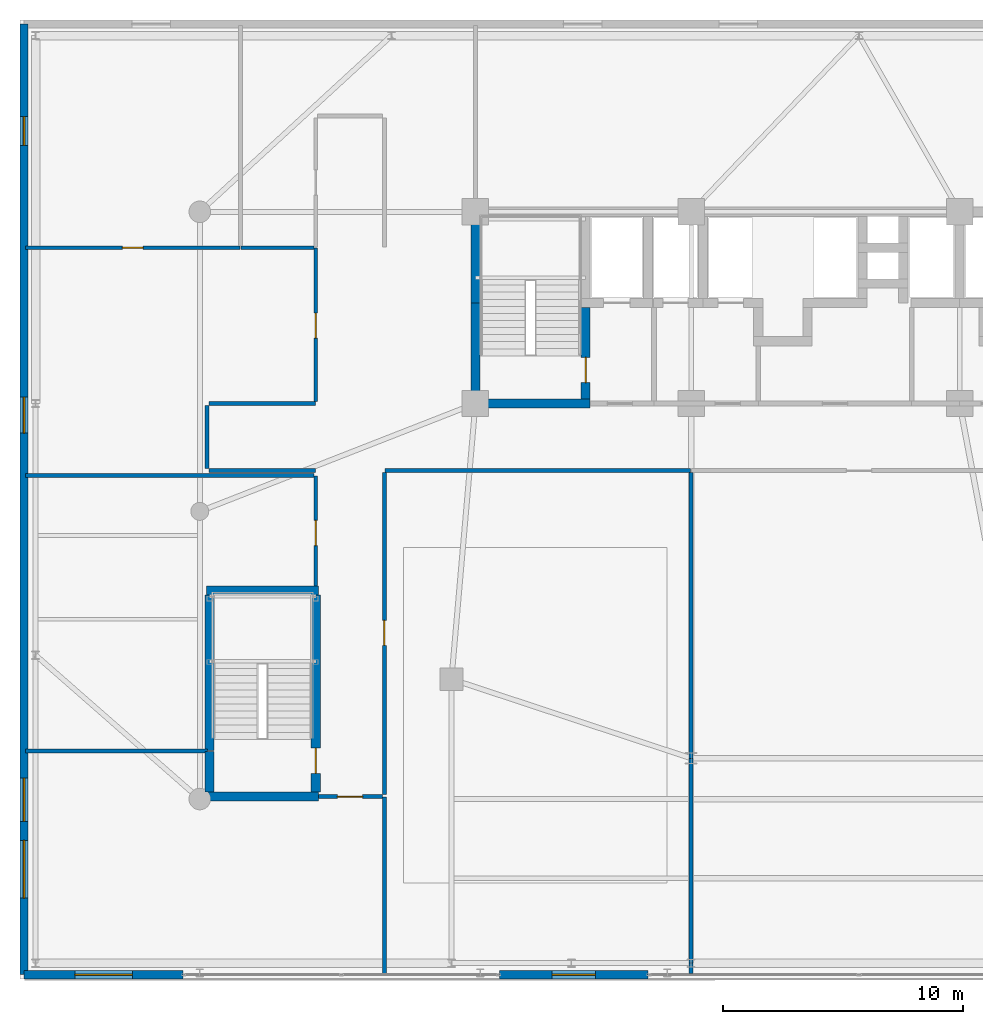
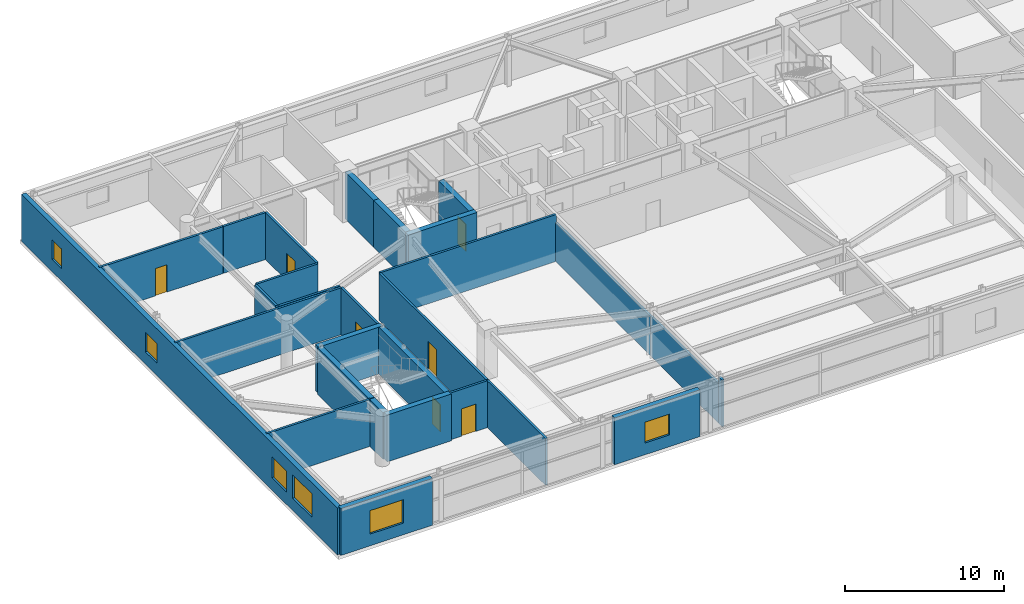
# One storey, part 20 of 26: 28 walls, 7 doors, 6 windows, 13 openings.
"""IFC4 building model written with IfcOpenShell, lengths in metres."""

from ifc_helpers import new_model, si_unit, direction, frame, frame_2d, origin, place, context, subcontext, project, spatial, rectangle, extrude, source, transform, mapped, material, layer, layer_set, type_object, element, fill, save


model = new_model("IFC4")

# Units and contexts
model_context = context("Model", 3, precision=1e-05, world=origin(), true_north=direction((0.0, 1.0)))
body_context = subcontext(model_context, "Body", "Model", "MODEL_VIEW")
ifc_project = project(units=[si_unit("LENGTHUNIT", "METRE"), si_unit("AREAUNIT", "SQUARE_METRE"), si_unit("VOLUMEUNIT", "CUBIC_METRE"), si_unit("PLANEANGLEUNIT", "RADIAN"), si_unit("MASSUNIT", "GRAM", prefix="KILO")], contexts=[model_context])

# Site, building, storey
site_placement = place(None, origin())
site = spatial("IfcSite", under=ifc_project, at=site_placement, CompositionType="ELEMENT")
building_placement = place(site_placement, origin())
building = spatial("IfcBuilding", under=site, at=building_placement, Name="Taldren Reach Tower", CompositionType="ELEMENT")
storey_placement = place(building_placement, frame((0.0, 0.0, 4.550048828125)))
storey = spatial("IfcBuildingStorey", under=building, at=storey_placement, Name="L01", CompositionType="ELEMENT", Elevation=4.550048828125)

# Wall, opening, window
ifc_material_1 = material(Name="Pale Champagne Anodised Aluminium Cladding", Category="aluminium")
ifc_layer_1 = layer(ifc_material_1, 0.04, Name="Pale Champagne Anodised Aluminium Cladding", Category="aluminium")
ifc_material_2 = material(Name="Mineral Wool Thermal Insulation", Category="insulation")
ifc_layer_2 = layer(ifc_material_2, 0.08, Name="Mineral Wool Thermal Insulation", Category="insulation")
ifc_material_3 = material(Name="Concrete S50 (50 MPa)", Category="concrete")
ifc_layer_3 = layer(ifc_material_3, 0.22, Name="Concrete S50 (50 MPa)", Category="concrete")
ifc_layer_set_1 = layer_set([ifc_layer_1, ifc_layer_2, ifc_layer_3], Name="Pale Champagne Aluminium Cladding and Precast Concrete 50 MPa (S50)")
wall_type_1 = type_object("IfcWallType", Name="EW-POD-340", PredefinedType="SOLIDWALL", material=ifc_layer_set_1)
shared_shape_1 = source(origin(), body_context, "Body", "SweptSolid", [
    extrude(rectangle(XDim=6.630126953125, YDim=0.340087890625, at=frame_2d((3.31494140625, 0.0))), origin(), (0.0, 0.0, 1.0), 3.58984375),
])
wall_1_placement = place(storey_placement, frame((0.169921875, 0.169921875, 0.0), z_axis=(0.0, 0.0, 1.0), x_axis=(1.0, 0.0, 0.0)))
wall_1 = element("IfcWall", 1, at=wall_1_placement, inside=storey, type_object=wall_type_1, Name="Podium south facade wall L01-S1", PredefinedType="SOLIDWALL", context=body_context, shape_type="MappedRepresentation", body=[
    mapped(shared_shape_1, transform((0.0, 0.0, 0.0), scale=1.0)),
])
shared_shape_2 = source(origin(), body_context, "Body", "SweptSolid", [
    extrude(rectangle(XDim=2.39990234375, YDim=1.800048828125, at=frame_2d((1.199951171875, 0.89990234375))), frame((0.0, 0.18017578125, 0.0), z_axis=(0.0, -1.0, 0.0), x_axis=(1.0, 0.0, 0.0)), (0.0, 0.0, 1.0), 0.360107421875),
])
opening_1_placement = place(wall_1_placement, frame((2.114990234375, 0.0, 0.89990234375)))
opening_1 = element("IfcOpeningElement", 2, at=opening_1_placement, cuts=wall_1, Name="Opening W-2418", PredefinedType="OPENING", context=body_context, shape_type="MappedRepresentation", body=[
    mapped(shared_shape_2, transform((0.0, 0.0, 0.0), scale=1.0)),
])
ifc_material_4 = material(Name="Thermally Broken Aluminium and Low-E IGU", Category="aluminium")
window_type_1 = type_object("IfcWindowType", Name="WN-POD-2400", PartitioningType="SINGLE_PANEL", PredefinedType="WINDOW", material=ifc_material_4)
shared_shape_3 = source(origin(), body_context, "Body", "SweptSolid", [
    extrude(rectangle(XDim=2.39990234375, YDim=1.800048828125, at=frame_2d((1.199951171875, 0.89990234375))), frame((0.0, 0.030029296875, 0.0), z_axis=(0.0, -1.0, 0.0), x_axis=(1.0, 0.0, 0.0)), (0.0, 0.0, 1.0), 0.06005859375),
])
window_1_placement = place(opening_1_placement, origin())
window_1 = element("IfcWindow", 3, at=window_1_placement, inside=storey, type_object=window_type_1, Name="Podium clinical window L01-S1", OverallHeight=1.800048828125, OverallWidth=2.39990234375, PartitioningType="SINGLE_PANEL", PredefinedType="WINDOW", context=body_context, shape_type="MappedRepresentation", body=[
    mapped(shared_shape_3, transform((0.0, 0.0, 0.0), scale=1.0)),
])
fill(opening_1, window_1)

shared_shape_4 = source(origin(), body_context, "Body", "SweptSolid", [
    extrude(rectangle(XDim=6.199951171875, YDim=0.340087890625, at=frame_2d((3.10009765625, 0.0))), origin(), (0.0, 0.0, 1.0), 3.58984375),
])
wall_2_placement = place(storey_placement, frame((20.0, 0.169921875, 0.0), z_axis=(0.0, 0.0, 1.0), x_axis=(1.0, 0.0, 0.0)))
wall_2 = element("IfcWall", 4, at=wall_2_placement, inside=storey, type_object=wall_type_1, Name="Podium south facade wall L01-S2", PredefinedType="SOLIDWALL", context=body_context, shape_type="MappedRepresentation", body=[
    mapped(shared_shape_4, transform((0.0, 0.0, 0.0), scale=1.0)),
])
shared_shape_5 = source(origin(), body_context, "Body", "SweptSolid", [
    extrude(rectangle(XDim=1.800048828125, YDim=1.60009765625, at=frame_2d((0.89990234375, 0.800048828125))), frame((0.0, 0.18017578125, 0.0), z_axis=(0.0, -1.0, 0.0), x_axis=(1.0, 0.0, 0.0)), (0.0, 0.0, 1.0), 0.360107421875),
])
opening_2_placement = place(wall_2_placement, frame((2.199951171875, 0.0, 0.89990234375)))
opening_2 = element("IfcOpeningElement", 5, at=opening_2_placement, cuts=wall_2, Name="Opening W-1816", PredefinedType="OPENING", context=body_context, shape_type="MappedRepresentation", body=[
    mapped(shared_shape_5, transform((0.0, 0.0, 0.0), scale=1.0)),
])
window_type_2 = type_object("IfcWindowType", Name="WN-POD-1800", PartitioningType="SINGLE_PANEL", PredefinedType="WINDOW", material=ifc_material_4)
shared_shape_6 = source(origin(), body_context, "Body", "SweptSolid", [
    extrude(rectangle(XDim=1.800048828125, YDim=1.60009765625, at=frame_2d((0.89990234375, 0.800048828125))), frame((0.0, 0.030029296875, 0.0), z_axis=(0.0, -1.0, 0.0), x_axis=(1.0, 0.0, 0.0)), (0.0, 0.0, 1.0), 0.06005859375),
])
window_2_placement = place(opening_2_placement, origin())
window_2 = element("IfcWindow", 6, at=window_2_placement, inside=storey, type_object=window_type_2, Name="Podium clinical window L01-S2", OverallHeight=1.60009765625, OverallWidth=1.800048828125, PartitioningType="SINGLE_PANEL", PredefinedType="WINDOW", context=body_context, shape_type="MappedRepresentation", body=[
    mapped(shared_shape_6, transform((0.0, 0.0, 0.0), scale=1.0)),
])
fill(opening_2, window_2)

# Wall, openings, windows
shared_shape_7 = source(origin(), body_context, "Body", "SweptSolid", [
    extrude(rectangle(XDim=39.66015625, YDim=0.340087890625, at=frame_2d((19.830078125, 0.0))), origin(), (0.0, 0.0, 1.0), 3.58984375),
])
wall_3_placement = place(storey_placement, frame((0.169921875, 0.169921875, 0.0), z_axis=(0.0, 0.0, 1.0), x_axis=(0.0, 1.0, 0.0)))
wall_3 = element("IfcWall", 7, at=wall_3_placement, inside=storey, type_object=wall_type_1, Name="Podium facade wall L01-W", PredefinedType="SOLIDWALL", context=body_context, shape_type="MappedRepresentation", body=[
    mapped(shared_shape_7, transform((0.0, 0.0, 0.0), scale=1.0)),
])
opening_3_placement = place(wall_3_placement, frame((3.199951171875, 0.0, 0.949951171875)))
opening_3 = element("IfcOpeningElement", 8, at=opening_3_placement, cuts=wall_3, Name="Opening W-2418", PredefinedType="OPENING", context=body_context, shape_type="MappedRepresentation", body=[
    mapped(shared_shape_2, transform((0.0, 0.0, 0.0), scale=1.0)),
])
opening_4_placement = place(wall_3_placement, frame((6.39990234375, 0.0, 0.949951171875)))
opening_4 = element("IfcOpeningElement", 9, at=opening_4_placement, cuts=wall_3, Name="Opening W-1816", PredefinedType="OPENING", context=body_context, shape_type="MappedRepresentation", body=[
    mapped(shared_shape_5, transform((0.0, 0.0, 0.0), scale=1.0)),
])
shared_shape_8 = source(origin(), body_context, "Body", "SweptSolid", [
    extrude(rectangle(XDim=1.5, YDim=1.5, at=frame_2d((0.75, 0.75))), frame((0.0, 0.18017578125, 0.0), z_axis=(0.0, -1.0, 0.0), x_axis=(1.0, 0.0, 0.0)), (0.0, 0.0, 1.0), 0.360107421875),
])
opening_5_placement = place(wall_3_placement, frame((22.60009765625, 0.0, 0.949951171875)))
opening_5 = element("IfcOpeningElement", 10, at=opening_5_placement, cuts=wall_3, Name="Opening W-1515", PredefinedType="OPENING", context=body_context, shape_type="MappedRepresentation", body=[
    mapped(shared_shape_8, transform((0.0, 0.0, 0.0), scale=1.0)),
])
shared_shape_9 = source(origin(), body_context, "Body", "SweptSolid", [
    extrude(rectangle(XDim=1.199951171875, YDim=1.5, at=frame_2d((0.60009765625, 0.75))), frame((0.0, 0.18017578125, 0.0), z_axis=(0.0, -1.0, 0.0), x_axis=(1.0, 0.0, 0.0)), (0.0, 0.0, 1.0), 0.360107421875),
])
opening_6_placement = place(wall_3_placement, frame((34.60009765625, 0.0, 0.949951171875)))
opening_6 = element("IfcOpeningElement", 11, at=opening_6_placement, cuts=wall_3, Name="Opening W-1215", PredefinedType="OPENING", context=body_context, shape_type="MappedRepresentation", body=[
    mapped(shared_shape_9, transform((0.0, 0.0, 0.0), scale=1.0)),
])
window_type_3 = type_object("IfcWindowType", Name="WN-POD-1200", PartitioningType="SINGLE_PANEL", PredefinedType="WINDOW", material=ifc_material_4)
shared_shape_10 = source(origin(), body_context, "Body", "SweptSolid", [
    extrude(rectangle(XDim=1.199951171875, YDim=1.5, at=frame_2d((0.60009765625, 0.75))), frame((0.0, 0.030029296875, 0.0), z_axis=(0.0, -1.0, 0.0), x_axis=(1.0, 0.0, 0.0)), (0.0, 0.0, 1.0), 0.06005859375),
])
window_3_placement = place(opening_6_placement, origin())
window_3 = element("IfcWindow", 12, at=window_3_placement, inside=storey, type_object=window_type_3, Name="Clinical window L01-W4", OverallHeight=1.5, OverallWidth=1.199951171875, PartitioningType="SINGLE_PANEL", PredefinedType="WINDOW", context=body_context, shape_type="MappedRepresentation", body=[
    mapped(shared_shape_10, transform((0.0, 0.0, 0.0), scale=1.0)),
])
fill(opening_6, window_3)
window_4_placement = place(opening_4_placement, origin())
window_4 = element("IfcWindow", 13, at=window_4_placement, inside=storey, type_object=window_type_2, Name="Clinical window L01-W2", OverallHeight=1.60009765625, OverallWidth=1.800048828125, PartitioningType="SINGLE_PANEL", PredefinedType="WINDOW", context=body_context, shape_type="MappedRepresentation", body=[
    mapped(shared_shape_6, transform((0.0, 0.0, 0.0), scale=1.0)),
])
fill(opening_4, window_4)
window_5_placement = place(opening_3_placement, origin())
window_5 = element("IfcWindow", 14, at=window_5_placement, inside=storey, type_object=window_type_1, Name="Clinical window L01-W1", OverallHeight=1.800048828125, OverallWidth=2.39990234375, PartitioningType="SINGLE_PANEL", PredefinedType="WINDOW", context=body_context, shape_type="MappedRepresentation", body=[
    mapped(shared_shape_3, transform((0.0, 0.0, 0.0), scale=1.0)),
])
fill(opening_3, window_5)
window_type_4 = type_object("IfcWindowType", Name="WN-POD-1500", PartitioningType="SINGLE_PANEL", PredefinedType="WINDOW", material=ifc_material_4)
shared_shape_11 = source(origin(), body_context, "Body", "SweptSolid", [
    extrude(rectangle(XDim=1.5, YDim=1.5, at=frame_2d((0.75, 0.75))), frame((0.0, 0.030029296875, 0.0), z_axis=(0.0, -1.0, 0.0), x_axis=(1.0, 0.0, 0.0)), (0.0, 0.0, 1.0), 0.06005859375),
])
window_6_placement = place(opening_5_placement, origin())
window_6 = element("IfcWindow", 15, at=window_6_placement, inside=storey, type_object=window_type_4, Name="Clinical window L01-W3", OverallHeight=1.5, OverallWidth=1.5, PartitioningType="SINGLE_PANEL", PredefinedType="WINDOW", context=body_context, shape_type="MappedRepresentation", body=[
    mapped(shared_shape_11, transform((0.0, 0.0, 0.0), scale=1.0)),
])
fill(opening_5, window_6)

# Walls
ifc_material_5 = material(Name="Concrete S80 (80 MPa)", Category="concrete")
ifc_layer_4 = layer(ifc_material_5, 0.3798828125)
ifc_layer_set_2 = layer_set([ifc_layer_4], Name="Concrete S80 (80 MPa)")
wall_type_2 = type_object("IfcWallType", Name="IW-CORE-380", PredefinedType="SHEAR", material=ifc_layer_set_2)
shared_shape_12 = source(origin(), body_context, "Body", "SweptSolid", [
    extrude(rectangle(XDim=4.010009765625, YDim=0.3798828125, at=frame_2d((2.0048828125, 0.0))), origin(), (0.0, 0.0, 1.0), 3.58984375),
])
wall_4_placement = place(storey_placement, frame((19.0, 24.18994140625, 0.0), z_axis=(0.0, 0.0, 1.0), x_axis=(0.0, 1.0, 0.0)))
element("IfcWall", 16, at=wall_4_placement, inside=storey, type_object=wall_type_2, Name="Rear Core Shear Wall W-CORE-L01-WEST1", PredefinedType="SHEAR", context=body_context, shape_type="MappedRepresentation", body=[
    mapped(shared_shape_12, transform((0.0, 0.0, 0.0), scale=1.0)),
])
shared_shape_13 = source(origin(), body_context, "Body", "SweptSolid", [
    extrude(rectangle(XDim=3.610107421875, YDim=0.3798828125, at=frame_2d((1.80517578125, 0.0))), origin(), (0.0, 0.0, 1.0), 3.58984375),
])
wall_5_placement = place(storey_placement, frame((19.0, 28.199951171875, 0.0), z_axis=(0.0, 0.0, 1.0), x_axis=(0.0, 1.0, 0.0)))
element("IfcWall", 17, at=wall_5_placement, inside=storey, type_object=wall_type_2, Name="Rear Core Shear Wall W-CORE-L01-WEST2", PredefinedType="SHEAR", context=body_context, shape_type="MappedRepresentation", body=[
    mapped(shared_shape_13, transform((0.0, 0.0, 0.0), scale=1.0)),
])

# Wall, opening, door
shared_shape_14 = source(origin(), body_context, "Body", "SweptSolid", [
    extrude(rectangle(XDim=3.820068359375, YDim=0.3798828125, at=frame_2d((1.91015625, 0.0))), origin(), (0.0, 0.0, 1.0), 3.58984375),
])
wall_6_placement = place(storey_placement, frame((23.60009765625, 24.18994140625, 0.0), z_axis=(0.0, 0.0, 1.0), x_axis=(0.0, 1.0, 0.0)))
wall_6 = element("IfcWall", 18, at=wall_6_placement, inside=storey, type_object=wall_type_2, Name="Rear Core Shear Wall W-INT-L01-002", PredefinedType="SHEAR", context=body_context, shape_type="MappedRepresentation", body=[
    mapped(shared_shape_14, transform((0.0, 0.0, 0.0), scale=1.0)),
])
shared_shape_15 = source(origin(), body_context, "Body", "SweptSolid", [
    extrude(rectangle(XDim=1.050048828125, YDim=2.10009765625, at=frame_2d((0.52490234375, 1.050048828125))), frame((0.0, 0.199951171875, 0.0), z_axis=(0.0, -1.0, 0.0), x_axis=(1.0, 0.0, 0.0)), (0.0, 0.0, 1.0), 0.39990234375),
])
opening_7_placement = place(wall_6_placement, frame((0.68505859375, 0.0, 0.0)))
opening_7 = element("IfcOpeningElement", 19, at=opening_7_placement, cuts=wall_6, Name="Opening DF-105", PredefinedType="OPENING", context=body_context, shape_type="MappedRepresentation", body=[
    mapped(shared_shape_15, transform((0.0, 0.0, 0.0), scale=1.0)),
])
ifc_material_6 = material(Name="Fire-Rated Care and Stair Exit Door")
door_type_1 = type_object("IfcDoorType", Name="ID-FIRE-105", OperationType="NOTDEFINED", PredefinedType="DOOR", material=ifc_material_6)
shared_shape_16 = source(origin(), body_context, "Body", "SweptSolid", [
    extrude(rectangle(XDim=1.050048828125, YDim=2.10009765625, at=frame_2d((0.52490234375, 1.050048828125))), frame((0.0, 0.02490234375, 0.0), z_axis=(0.0, -1.0, 0.0), x_axis=(1.0, 0.0, 0.0)), (0.0, 0.0, 1.0), 0.050048828125),
])
door_1_placement = place(opening_7_placement, origin())
door_1 = element("IfcDoor", 20, at=door_1_placement, inside=storey, type_object=door_type_1, Name="Fire Exit Stair Door DR-L01-001", OperationType="SINGLE_SWING_LEFT", OverallHeight=2.10009765625, OverallWidth=1.050048828125, PredefinedType="DOOR", context=body_context, shape_type="MappedRepresentation", body=[
    mapped(shared_shape_16, transform((0.0, 0.0, 0.0), scale=1.0)),
])
fill(opening_7, door_1)

# Wall
shared_shape_17 = source(origin(), body_context, "Body", "SweptSolid", [
    extrude(rectangle(XDim=4.97998046875, YDim=0.3798828125, at=frame_2d((2.489990234375, 0.0))), origin(), (0.0, 0.0, 1.0), 3.58984375),
])
wall_7_placement = place(storey_placement, frame((18.81005859375, 24.0, 0.0), z_axis=(0.0, 0.0, 1.0), x_axis=(1.0, 0.0, 0.0)))
element("IfcWall", 21, at=wall_7_placement, inside=storey, type_object=wall_type_2, Name="Rear Core Shear Wall W-INT-L01-003", PredefinedType="SHEAR", context=body_context, shape_type="MappedRepresentation", body=[
    mapped(shared_shape_17, transform((0.0, 0.0, 0.0), scale=1.0)),
])

# Wall, opening, door
shared_shape_18 = source(origin(), body_context, "Body", "SweptSolid", [
    extrude(rectangle(XDim=8.219970703125, YDim=0.3798828125, at=frame_2d((4.10986328125, 0.0))), origin(), (0.0, 0.0, 1.0), 3.58984375),
])
wall_8_placement = place(storey_placement, frame((12.340087890625, 16.010009765625, 0.0), z_axis=(0.0, 0.0, 1.0), x_axis=(0.0, -1.0, 0.0)))
wall_8 = element("IfcWall", 22, at=wall_8_placement, inside=storey, type_object=wall_type_2, Name="Rear Core Shear Wall W-INT-L01-045", PredefinedType="SHEAR", context=body_context, shape_type="MappedRepresentation", body=[
    mapped(shared_shape_18, transform((0.0, 0.0, 0.0), scale=1.0)),
])
opening_8_placement = place(wall_8_placement, frame((6.385009765625, 0.0, 0.0)))
opening_8 = element("IfcOpeningElement", 23, at=opening_8_placement, cuts=wall_8, Name="Opening DF-105", PredefinedType="OPENING", context=body_context, shape_type="MappedRepresentation", body=[
    mapped(shared_shape_15, transform((0.0, 0.0, 0.0), scale=1.0)),
])
door_2_placement = place(opening_8_placement, frame((1.050048828125, 0.0, 0.0), z_axis=(0.0, 0.0, 1.0), x_axis=(-1.0, 0.0, 0.0)))
door_2 = element("IfcDoor", 24, at=door_2_placement, inside=storey, type_object=door_type_1, Name="Fire Exit Stair Door DR-L01-008", OperationType="SINGLE_SWING_LEFT", OverallHeight=2.10009765625, OverallWidth=1.050048828125, PredefinedType="DOOR", context=body_context, shape_type="MappedRepresentation", body=[
    mapped(shared_shape_16, transform((0.0, 0.0, 0.0), scale=1.0)),
])
fill(opening_8, door_2)

# Walls
shared_shape_19 = source(origin(), body_context, "Body", "SweptSolid", [
    extrude(rectangle(XDim=4.659912109375, YDim=0.3798828125, at=frame_2d((2.330078125, 0.0))), origin(), (0.0, 0.0, 1.0), 3.58984375),
])
for number, where, z_axis, x_axis, name in (
    (25, (12.449951171875, 7.60009765625, 0.0), (0.0, 0.0, 1.0), (-1.0, 0.0, 0.0), "Rear Core Shear Wall W-INT-L01-046"),
    (26, (7.7900390625, 16.199951171875, 0.0), (0.0, 0.0, 1.0), (1.0, 0.0, 0.0), "Rear Core Shear Wall W-INT-L01-049"),
):
    element("IfcWall", number, at=place(storey_placement, frame(where, z_axis=z_axis, x_axis=x_axis)), inside=storey, type_object=wall_type_2, Name=name, PredefinedType="SHEAR", context=body_context, shape_type="MappedRepresentation", body=[
        mapped(shared_shape_19, transform((0.0, 0.0, 0.0), scale=1.0)),
    ])
shared_shape_20 = source(origin(), body_context, "Body", "SweptSolid", [
    extrude(rectangle(XDim=1.689697265625, YDim=0.3798828125, at=frame_2d((0.8447265625, 0.0))), origin(), (0.0, 0.0, 1.0), 3.58984375),
])
wall_9_placement = place(storey_placement, frame((7.89990234375, 7.7900390625, 0.0), z_axis=(0.0, 0.0, 1.0), x_axis=(0.0, 1.0, 0.0)))
element("IfcWall", 27, at=wall_9_placement, inside=storey, type_object=wall_type_2, Name="Rear Core Shear Wall W-INT-L01-047", PredefinedType="SHEAR", context=body_context, shape_type="MappedRepresentation", body=[
    mapped(shared_shape_20, transform((0.0, 0.0, 0.0), scale=1.0)),
])
shared_shape_21 = source(origin(), body_context, "Body", "SweptSolid", [
    extrude(rectangle(XDim=6.48974609375, YDim=0.3798828125, at=frame_2d((3.244873046875, 0.0))), origin(), (0.0, 0.0, 1.0), 3.58984375),
])
wall_10_placement = place(storey_placement, frame((7.89990234375, 9.520263671875, 0.0), z_axis=(0.0, 0.0, 1.0), x_axis=(0.0, 1.0, 0.0)))
element("IfcWall", 28, at=wall_10_placement, inside=storey, type_object=wall_type_2, Name="Rear Core Shear Wall W-INT-L01-048", PredefinedType="SHEAR", context=body_context, shape_type="MappedRepresentation", body=[
    mapped(shared_shape_21, transform((0.0, 0.0, 0.0), scale=1.0)),
])

# Wall, opening, door
ifc_material_7 = material(Name="Fire-Rated Acoustic Plasterboard Stud Wall", Category="gypsum")
ifc_layer_5 = layer(ifc_material_7, 0.159912109375)
ifc_layer_set_3 = layer_set([ifc_layer_5], Name="Fire-Rated Acoustic Plasterboard Stud Wall")
wall_type_3 = type_object("IfcWallType", Name="IW-FIRE-160", PredefinedType="PARTITIONING", material=ifc_layer_set_3)
shared_shape_22 = source(origin(), body_context, "Body", "SweptSolid", [
    extrude(rectangle(XDim=13.440185546875, YDim=0.159912109375, at=frame_2d((6.72021484375, 0.0))), origin(), (0.0, 0.0, 1.0), 3.58984375),
])
wall_11_placement = place(storey_placement, frame((15.199951171875, 21.1201171875, 0.0), z_axis=(0.0, 0.0, 1.0), x_axis=(0.0, -1.0, 0.0)))
wall_11 = element("IfcWall", 29, at=wall_11_placement, inside=storey, type_object=wall_type_3, Name="Interior Partition Wall W-INT-L01-050", PredefinedType="PARTITIONING", context=body_context, shape_type="MappedRepresentation", body=[
    mapped(shared_shape_22, transform((0.0, 0.0, 0.0), scale=1.0)),
])
shared_shape_23 = source(origin(), body_context, "Body", "SweptSolid", [
    extrude(rectangle(XDim=1.050048828125, YDim=2.10009765625, at=frame_2d((0.52490234375, 1.050048828125))), frame((0.0, 0.08984375, 0.0), z_axis=(0.0, -1.0, 0.0), x_axis=(1.0, 0.0, 0.0)), (0.0, 0.0, 1.0), 0.179931640625),
])
opening_9_placement = place(wall_11_placement, frame((6.1650390625, 0.0, 0.0)))
opening_9 = element("IfcOpeningElement", 30, at=opening_9_placement, cuts=wall_11, Name="Opening DF-105", PredefinedType="OPENING", context=body_context, shape_type="MappedRepresentation", body=[
    mapped(shared_shape_23, transform((0.0, 0.0, 0.0), scale=1.0)),
])
door_3_placement = place(opening_9_placement, origin())
door_3 = element("IfcDoor", 31, at=door_3_placement, inside=storey, type_object=door_type_1, Name="Interior Door DR-L01-009", OperationType="SINGLE_SWING_RIGHT", OverallHeight=2.10009765625, OverallWidth=1.050048828125, PredefinedType="DOOR", context=body_context, shape_type="MappedRepresentation", body=[
    mapped(shared_shape_16, transform((0.0, 0.0, 0.0), scale=1.0)),
])
fill(opening_9, door_3)

# Wall
shared_shape_24 = source(origin(), body_context, "Body", "SweptSolid", [
    extrude(rectangle(XDim=12.759521484375, YDim=0.159912109375, at=frame_2d((6.3798828125, 0.0))), origin(), (0.0, 0.0, 1.0), 3.58984375),
])
wall_12_placement = place(storey_placement, frame((27.979736328125, 21.199951171875, 0.0), z_axis=(0.0, 0.0, 1.0), x_axis=(-1.0, 0.0, 0.0)))
element("IfcWall", 32, at=wall_12_placement, inside=storey, type_object=wall_type_3, Name="Interior Partition Wall W-INT-L01-051", PredefinedType="PARTITIONING", context=body_context, shape_type="MappedRepresentation", body=[
    mapped(shared_shape_24, transform((0.0, 0.0, 0.0), scale=1.0)),
])

# Wall, opening, door
shared_shape_25 = source(origin(), body_context, "Body", "SweptSolid", [
    extrude(rectangle(XDim=2.670166015625, YDim=0.159912109375, at=frame_2d((1.3349609375, 0.0))), origin(), (0.0, 0.0, 1.0), 3.58984375),
])
wall_13_placement = place(storey_placement, frame((15.1201171875, 7.60009765625, 0.0), z_axis=(0.0, 0.0, 1.0), x_axis=(-1.0, 0.0, 0.0)))
wall_13 = element("IfcWall", 33, at=wall_13_placement, inside=storey, type_object=wall_type_3, Name="Interior Partition Wall W-INT-L01-055", PredefinedType="PARTITIONING", context=body_context, shape_type="MappedRepresentation", body=[
    mapped(shared_shape_25, transform((0.0, 0.0, 0.0), scale=1.0)),
])
opening_10_placement = place(wall_13_placement, frame((0.824951171875, 0.0, 0.0)))
opening_10 = element("IfcOpeningElement", 34, at=opening_10_placement, cuts=wall_13, Name="Opening DF-105", PredefinedType="OPENING", context=body_context, shape_type="MappedRepresentation", body=[
    mapped(shared_shape_23, transform((0.0, 0.0, 0.0), scale=1.0)),
])
door_4_placement = place(opening_10_placement, origin())
door_4 = element("IfcDoor", 35, at=door_4_placement, inside=storey, type_object=door_type_1, Name="Interior Door DR-L01-012", OperationType="SINGLE_SWING_LEFT", OverallHeight=2.10009765625, OverallWidth=1.050048828125, PredefinedType="DOOR", context=body_context, shape_type="MappedRepresentation", body=[
    mapped(shared_shape_16, transform((0.0, 0.0, 0.0), scale=1.0)),
])
fill(opening_10, door_4)

shared_shape_26 = source(origin(), body_context, "Body", "SweptSolid", [
    extrude(rectangle(XDim=4.58984375, YDim=0.159912109375, at=frame_2d((2.294921875, 0.0))), origin(), (0.0, 0.0, 1.0), 3.58984375),
])
wall_14_placement = place(storey_placement, frame((12.340087890625, 16.389892578125, 0.0), z_axis=(0.0, 0.0, 1.0), x_axis=(0.0, 1.0, 0.0)))
wall_14 = element("IfcWall", 36, at=wall_14_placement, inside=storey, type_object=wall_type_3, Name="Interior Partition Wall W-INT-L01-056", PredefinedType="PARTITIONING", context=body_context, shape_type="MappedRepresentation", body=[
    mapped(shared_shape_26, transform((0.0, 0.0, 0.0), scale=1.0)),
])
opening_11_placement = place(wall_14_placement, frame((1.68505859375, 0.0, 0.0)))
opening_11 = element("IfcOpeningElement", 37, at=opening_11_placement, cuts=wall_14, Name="Opening DF-105", PredefinedType="OPENING", context=body_context, shape_type="MappedRepresentation", body=[
    mapped(shared_shape_23, transform((0.0, 0.0, 0.0), scale=1.0)),
])
door_5_placement = place(opening_11_placement, origin())
door_5 = element("IfcDoor", 38, at=door_5_placement, inside=storey, type_object=door_type_1, Name="Interior Door DR-L01-013", OperationType="SINGLE_SWING_RIGHT", OverallHeight=2.10009765625, OverallWidth=1.050048828125, PredefinedType="DOOR", context=body_context, shape_type="MappedRepresentation", body=[
    mapped(shared_shape_16, transform((0.0, 0.0, 0.0), scale=1.0)),
])
fill(opening_11, door_5)

shared_shape_27 = source(origin(), body_context, "Body", "SweptSolid", [
    extrude(rectangle(XDim=6.399658203125, YDim=0.159912109375, at=frame_2d((3.19970703125, 0.0))), origin(), (0.0, 0.0, 1.0), 3.58984375),
])
wall_15_placement = place(storey_placement, frame((12.340087890625, 24.080078125, 0.0), z_axis=(0.0, 0.0, 1.0), x_axis=(0.0, 1.0, 0.0)))
wall_15 = element("IfcWall", 39, at=wall_15_placement, inside=storey, type_object=wall_type_3, Name="Interior Partition Wall W-INT-L01-057", PredefinedType="PARTITIONING", context=body_context, shape_type="MappedRepresentation", body=[
    mapped(shared_shape_27, transform((0.0, 0.0, 0.0), scale=1.0)),
])
opening_12_placement = place(wall_15_placement, frame((2.64501953125, 0.0, 0.0)))
opening_12 = element("IfcOpeningElement", 40, at=opening_12_placement, cuts=wall_15, Name="Opening DF-105", PredefinedType="OPENING", context=body_context, shape_type="MappedRepresentation", body=[
    mapped(shared_shape_23, transform((0.0, 0.0, 0.0), scale=1.0)),
])
door_6_placement = place(opening_12_placement, origin())
door_6 = element("IfcDoor", 41, at=door_6_placement, inside=storey, type_object=door_type_1, Name="Interior Door DR-L01-014", OperationType="SINGLE_SWING_LEFT", OverallHeight=2.10009765625, OverallWidth=1.050048828125, PredefinedType="DOOR", context=body_context, shape_type="MappedRepresentation", body=[
    mapped(shared_shape_16, transform((0.0, 0.0, 0.0), scale=1.0)),
])
fill(opening_12, door_6)

# Walls
shared_shape_28 = source(origin(), body_context, "Body", "SweptSolid", [
    extrude(rectangle(XDim=4.43994140625, YDim=0.159912109375, at=frame_2d((2.219970703125, 0.0))), origin(), (0.0, 0.0, 1.0), 3.58984375),
])
for number, where, z_axis, x_axis, name in (
    (42, (12.31982421875, 21.199951171875, 0.0), (0.0, 0.0, 1.0), (-1.0, 0.0, 0.0), "Interior Partition Wall W-INT-L01-058"),
    (43, (7.8798828125, 24.0, 0.0), (0.0, 0.0, 1.0), (1.0, 0.0, 0.0), "Interior Partition Wall W-INT-L01-059"),
):
    element("IfcWall", number, at=place(storey_placement, frame(where, z_axis=z_axis, x_axis=x_axis)), inside=storey, type_object=wall_type_3, Name=name, PredefinedType="PARTITIONING", context=body_context, shape_type="MappedRepresentation", body=[
        mapped(shared_shape_28, transform((0.0, 0.0, 0.0), scale=1.0)),
    ])
shared_shape_29 = source(origin(), body_context, "Body", "SweptSolid", [
    extrude(rectangle(XDim=2.639892578125, YDim=0.159912109375, at=frame_2d((1.31982421875, 0.0))), origin(), (0.0, 0.0, 1.0), 3.58984375),
])
wall_16_placement = place(storey_placement, frame((7.800048828125, 21.280029296875, 0.0), z_axis=(0.0, 0.0, 1.0), x_axis=(0.0, 1.0, 0.0)))
element("IfcWall", 44, at=wall_16_placement, inside=storey, type_object=wall_type_3, Name="Interior Partition Wall W-INT-L01-060", PredefinedType="PARTITIONING", context=body_context, shape_type="MappedRepresentation", body=[
    mapped(shared_shape_29, transform((0.0, 0.0, 0.0), scale=1.0)),
])
shared_shape_30 = source(origin(), body_context, "Body", "SweptSolid", [
    extrude(rectangle(XDim=11.920166015625, YDim=0.159912109375, at=frame_2d((5.9599609375, 0.0))), origin(), (0.0, 0.0, 1.0), 2.988037109375),
])
wall_17_placement = place(storey_placement, frame((28.0, 21.1201171875, 0.0), z_axis=(0.0, 0.0, 1.0), x_axis=(0.0, -1.0, 0.0)))
element("IfcWall", 45, at=wall_17_placement, inside=storey, type_object=wall_type_3, Name="Interior Partition Wall W-INT-L01-074", PredefinedType="PARTITIONING", context=body_context, shape_type="MappedRepresentation", body=[
    mapped(shared_shape_30, transform((0.0, 0.0, 0.0), scale=1.0)),
])
shared_shape_31 = source(origin(), body_context, "Body", "SweptSolid", [
    extrude(rectangle(XDim=8.550048828125, YDim=0.159912109375, at=frame_2d((4.27490234375, 0.0))), origin(), (0.0, 0.0, 1.0), 3.056884765625),
])
wall_18_placement = place(storey_placement, frame((28.0, 9.199951171875, 0.0), z_axis=(0.0, 0.0, 1.0), x_axis=(0.0, -1.0, 0.0)))
element("IfcWall", 46, at=wall_18_placement, inside=storey, type_object=wall_type_3, Name="Interior Partition Wall W-INT-L01-074 part 2", PredefinedType="PARTITIONING", context=body_context, shape_type="MappedRepresentation", body=[
    mapped(shared_shape_31, transform((0.0, 0.0, 0.0), scale=1.0)),
])
shared_shape_32 = source(origin(), body_context, "Body", "SweptSolid", [
    extrude(rectangle(XDim=0.419921875, YDim=0.159912109375, at=frame_2d((0.2099609375, 0.0))), origin(), (0.0, 0.0, 1.0), 3.58984375),
])
wall_19_placement = place(storey_placement, frame((28.0, 0.64990234375, 0.0), z_axis=(0.0, 0.0, 1.0), x_axis=(0.0, -1.0, 0.0)))
element("IfcWall", 47, at=wall_19_placement, inside=storey, type_object=wall_type_3, Name="Interior Partition Wall W-INT-L01-074 part 3", PredefinedType="PARTITIONING", context=body_context, shape_type="MappedRepresentation", body=[
    mapped(shared_shape_32, transform((0.0, 0.0, 0.0), scale=1.0)),
])
shared_shape_33 = source(origin(), body_context, "Body", "SweptSolid", [
    extrude(rectangle(XDim=7.349853515625, YDim=0.159912109375, at=frame_2d((3.6748046875, 0.0))), origin(), (0.0, 0.0, 1.0), 3.58984375),
])
wall_20_placement = place(storey_placement, frame((15.199951171875, 0.22998046875, 0.0), z_axis=(0.0, 0.0, 1.0), x_axis=(0.0, 1.0, 0.0)))
element("IfcWall", 48, at=wall_20_placement, inside=storey, type_object=wall_type_3, Name="Interior Partition Wall W-INT-L01-075", PredefinedType="PARTITIONING", context=body_context, shape_type="MappedRepresentation", body=[
    mapped(shared_shape_33, transform((0.0, 0.0, 0.0), scale=1.0)),
])
shared_shape_34 = source(origin(), body_context, "Body", "SweptSolid", [
    extrude(rectangle(XDim=7.590087890625, YDim=0.159912109375, at=frame_2d((3.794921875, 0.0))), origin(), (0.0, 0.0, 1.0), 3.58984375),
])
wall_21_placement = place(storey_placement, frame((0.22998046875, 9.5, 0.0), z_axis=(0.0, 0.0, 1.0), x_axis=(1.0, 0.0, 0.0)))
element("IfcWall", 49, at=wall_21_placement, inside=storey, type_object=wall_type_3, Name="Interior Partition Wall W-INT-L01-077", PredefinedType="PARTITIONING", context=body_context, shape_type="MappedRepresentation", body=[
    mapped(shared_shape_34, transform((0.0, 0.0, 0.0), scale=1.0)),
])
shared_shape_35 = source(origin(), body_context, "Body", "SweptSolid", [
    extrude(rectangle(XDim=12.030029296875, YDim=0.159912109375, at=frame_2d((6.01513671875, 0.0))), origin(), (0.0, 0.0, 1.0), 3.58984375),
])
wall_22_placement = place(storey_placement, frame((0.22998046875, 21.0, 0.0), z_axis=(0.0, 0.0, 1.0), x_axis=(1.0, 0.0, 0.0)))
element("IfcWall", 50, at=wall_22_placement, inside=storey, type_object=wall_type_3, Name="Interior Partition Wall W-INT-L01-078", PredefinedType="PARTITIONING", context=body_context, shape_type="MappedRepresentation", body=[
    mapped(shared_shape_35, transform((0.0, 0.0, 0.0), scale=1.0)),
])

# Wall, opening, door
shared_shape_36 = source(origin(), body_context, "Body", "SweptSolid", [
    extrude(rectangle(XDim=8.94775390625, YDim=0.159912109375, at=frame_2d((4.473876953125, 0.0))), origin(), (0.0, 0.0, 1.0), 3.58984375),
])
wall_23_placement = place(storey_placement, frame((0.22998046875, 30.5, 0.0), z_axis=(0.0, 0.0, 1.0), x_axis=(1.0, 0.0, 0.0)))
wall_23 = element("IfcWall", 51, at=wall_23_placement, inside=storey, type_object=wall_type_3, Name="Interior Partition Wall W-INT-L01-079", PredefinedType="PARTITIONING", context=body_context, shape_type="MappedRepresentation", body=[
    mapped(shared_shape_36, transform((0.0, 0.0, 0.0), scale=1.0)),
])
shared_shape_37 = source(origin(), body_context, "Body", "SweptSolid", [
    extrude(rectangle(XDim=0.860107421875, YDim=2.10009765625, at=frame_2d((0.43017578125, 1.050048828125))), frame((0.0, 0.08984375, 0.0), z_axis=(0.0, -1.0, 0.0), x_axis=(1.0, 0.0, 0.0)), (0.0, 0.0, 1.0), 0.179931640625),
])
opening_13_placement = place(wall_23_placement, frame((4.0439453125, 0.0, 0.0)))
opening_13 = element("IfcOpeningElement", 52, at=opening_13_placement, cuts=wall_23, Name="Opening DI-086", PredefinedType="OPENING", context=body_context, shape_type="MappedRepresentation", body=[
    mapped(shared_shape_37, transform((0.0, 0.0, 0.0), scale=1.0)),
])
ifc_material_8 = material(Name="Timber Bathroom Door", Category="wood")
door_type_2 = type_object("IfcDoorType", Name="ID-INT-086", OperationType="NOTDEFINED", PredefinedType="DOOR", material=ifc_material_8)
shared_shape_38 = source(origin(), body_context, "Body", "SweptSolid", [
    extrude(rectangle(XDim=0.860107421875, YDim=2.10009765625, at=frame_2d((0.43017578125, 1.050048828125))), frame((0.0, 0.02490234375, 0.0), z_axis=(0.0, -1.0, 0.0), x_axis=(1.0, 0.0, 0.0)), (0.0, 0.0, 1.0), 0.050048828125),
])
door_7_placement = place(opening_13_placement, origin())
door_7 = element("IfcDoor", 53, at=door_7_placement, inside=storey, type_object=door_type_2, Name="Interior Door DR-L01-022", OperationType="SINGLE_SWING_LEFT", OverallHeight=2.10009765625, OverallWidth=0.860107421875, PredefinedType="DOOR", context=body_context, shape_type="MappedRepresentation", body=[
    mapped(shared_shape_38, transform((0.0, 0.0, 0.0), scale=1.0)),
])
fill(opening_13, door_7)

# Wall
shared_shape_39 = source(origin(), body_context, "Body", "SweptSolid", [
    extrude(rectangle(XDim=3.041748046875, YDim=0.159912109375, at=frame_2d((1.52099609375, 0.0))), origin(), (0.0, 0.0, 1.0), 3.58984375),
])
wall_24_placement = place(storey_placement, frame((9.21826171875, 30.5, 0.0), z_axis=(0.0, 0.0, 1.0), x_axis=(1.0, 0.0, 0.0)))
element("IfcWall", 54, at=wall_24_placement, inside=storey, type_object=wall_type_3, Name="Interior Partition Wall W-INT-L01-080", PredefinedType="PARTITIONING", context=body_context, shape_type="MappedRepresentation", body=[
    mapped(shared_shape_39, transform((0.0, 0.0, 0.0), scale=1.0)),
])

save(model, "model.ifc")
